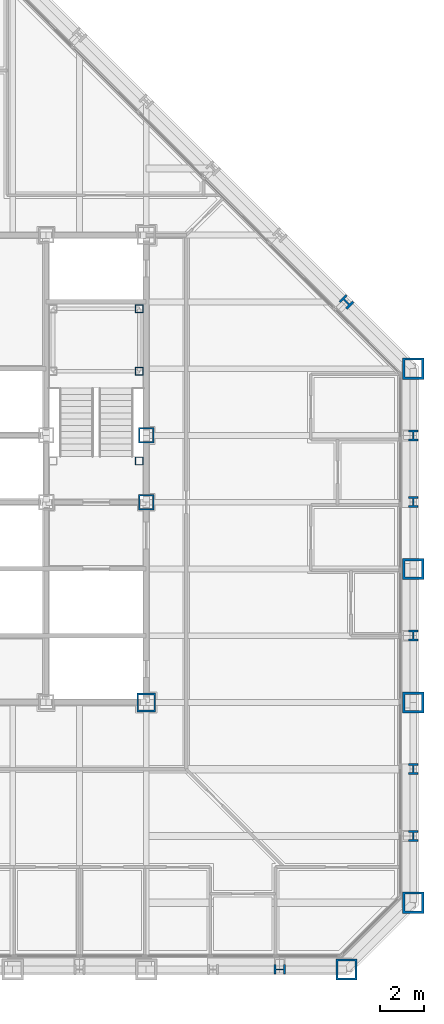
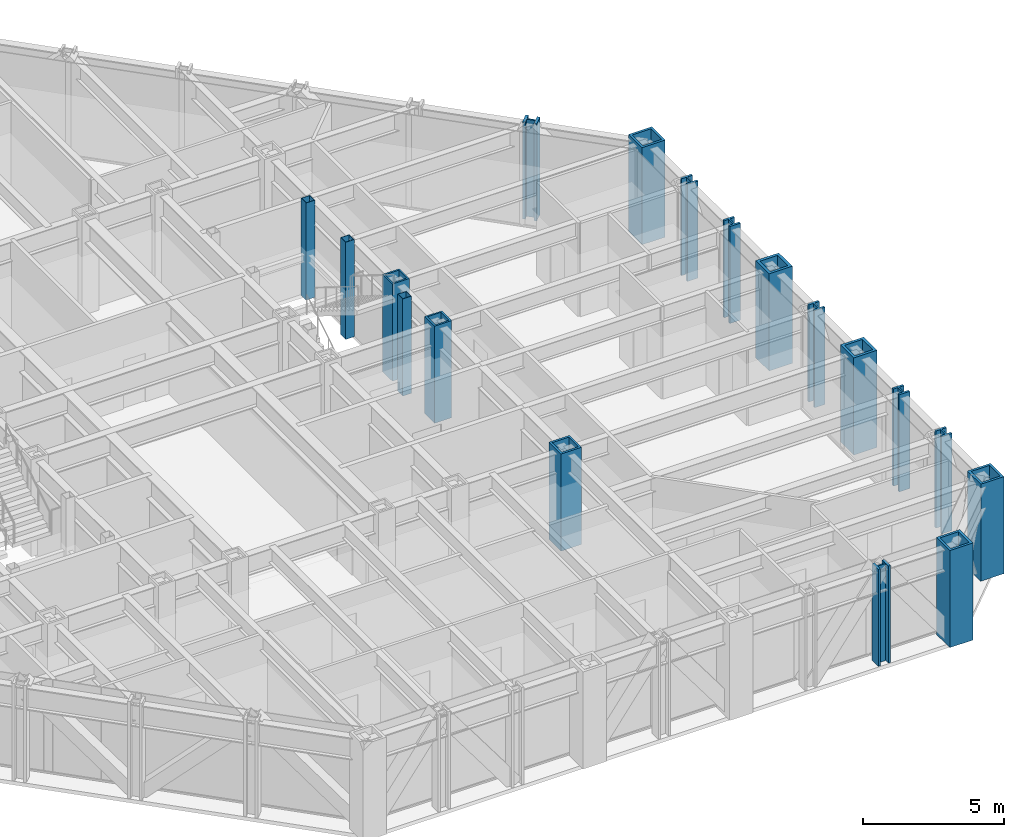
# One storey, part 2 of 17: 18 columns.
"""IFC4 building model written with IfcOpenShell, lengths in metres."""

from ifc_helpers import new_model, si_unit, direction, frame, origin, origin_2d, place, context, subcontext, project, spatial, hollow_rectangle, i_section, extrude, material, material_profile, profile_set, type_object, element, save


model = new_model("IFC4")

# Units and contexts
model_context = context("Model", 3, precision=1e-05, world=origin(), true_north=direction((0.0, 1.0)))
body_context = subcontext(model_context, "Body", "Model", "MODEL_VIEW")
ifc_project = project(units=[si_unit("LENGTHUNIT", "METRE"), si_unit("AREAUNIT", "SQUARE_METRE"), si_unit("VOLUMEUNIT", "CUBIC_METRE"), si_unit("PLANEANGLEUNIT", "RADIAN"), si_unit("MASSUNIT", "GRAM", prefix="KILO")], contexts=[model_context])

# Site, building, storey
site_placement = place(None, origin())
site = spatial("IfcSite", under=ifc_project, at=site_placement, CompositionType="ELEMENT")
building_placement = place(site_placement, origin())
building = spatial("IfcBuilding", under=site, at=building_placement, Name="Chuquiago Exchange Tower", CompositionType="ELEMENT")
storey_placement = place(building_placement, frame((0.0, 0.0, 132.0)))
storey = spatial("IfcBuildingStorey", under=building, at=storey_placement, Name="L28", CompositionType="ELEMENT", Elevation=132.0)

# Columns
ifc_material_1 = material(Name="Steel ASTM A992", Category="steel")
ifc_material_profile_1 = material_profile(ifc_material_1, i_section(OverallWidth=0.431884765625, OverallDepth=0.497802734375, WebThickness=0.0556640625, FlangeThickness=0.0888671875, at=origin_2d()), Name="W14X500")
ifc_profile_set_1 = profile_set([ifc_material_profile_1], Name="Steel ASTM A992")
column_type_1 = type_object("IfcColumnType", Name="C3 W14X500", PredefinedType="COLUMN", material=ifc_profile_set_1)
for number, where, z_axis, x_axis, name in (
    (1, (39.0, 0.0, 0.0), (0.0, 0.0, 1.0), (0.0, -1.0, 0.0), "COL-L28-39_0"),
    (2, (45.0, 6.0, 0.0), (0.0, 0.0, 1.0), (1.0, 0.0, 0.0), "COL-L28-45_6"),
    (3, (45.0, 9.0, 0.0), (0.0, 0.0, 1.0), (1.0, 0.0, 0.0), "COL-L28-45_9"),
    (4, (45.0, 15.0, 0.0), (0.0, 0.0, 1.0), (1.0, 0.0, 0.0), "COL-L28-45_15"),
    (5, (45.0, 21.0, 0.0), (0.0, 0.0, 1.0), (1.0, 0.0, 0.0), "COL-L28-45_21"),
    (6, (45.0, 24.0, 0.0), (0.0, 0.0, 1.0), (1.0, 0.0, 0.0), "COL-L28-45_24"),
):
    element("IfcColumn", number, at=place(storey_placement, frame(where, z_axis=z_axis, x_axis=x_axis)), inside=storey, type_object=column_type_1, Name=name, PredefinedType="COLUMN", context=body_context, shape_type="SweptSolid", body=[
        extrude(i_section(OverallWidth=0.431884765625, OverallDepth=0.497802734375, WebThickness=0.0556640625, FlangeThickness=0.0888671875, at=origin_2d()), origin(), (0.0, 0.0, 1.0), 4.199951171875),
    ])
ifc_material_2 = material(Name="Steel ASTM A572 Grade 50", Category="steel")
ifc_material_profile_2 = material_profile(ifc_material_2, hollow_rectangle(XDim=0.699951171875, YDim=0.699951171875, WallThickness=0.070068359375, at=origin_2d()), Name="BOX700X700X70")
ifc_profile_set_2 = profile_set([ifc_material_profile_2], Name="Steel ASTM A572 Grade 50")
column_type_2 = type_object("IfcColumnType", Name="CC3 BOX700X700X70", PredefinedType="COLUMN", material=ifc_profile_set_2)
for number, where, z_axis, x_axis, name in (
    (7, (33.0, 21.0, 0.0), (0.0, 0.0, 1.0), (1.0, 0.0, 0.0), "CCOL-L28-33_21"),
    (8, (33.0, 24.0, 0.0), (0.0, 0.0, 1.0), (1.0, 0.0, 0.0), "CCOL-L28-33_24"),
):
    element("IfcColumn", number, at=place(storey_placement, frame(where, z_axis=z_axis, x_axis=x_axis)), inside=storey, type_object=column_type_2, Name=name, PredefinedType="COLUMN", context=body_context, shape_type="SweptSolid", body=[
        extrude(hollow_rectangle(XDim=0.699951171875, YDim=0.699951171875, WallThickness=0.070068359375, at=origin_2d()), origin(), (0.0, 0.0, 1.0), 4.199951171875),
    ])
ifc_material_3 = material(Name="Steel ASTM A572 Grade 50", Category="steel")
ifc_material_profile_3 = material_profile(ifc_material_3, hollow_rectangle(XDim=0.85009765625, YDim=0.85009765625, WallThickness=0.0849609375, at=origin_2d()), Name="BOX850X850X85")
ifc_profile_set_3 = profile_set([ifc_material_profile_3], Name="Steel ASTM A572 Grade 50")
column_type_3 = type_object("IfcColumnType", Name="CC6 BOX850X850X85", PredefinedType="COLUMN", material=ifc_profile_set_3)
column_1_placement = place(storey_placement, frame((33.0, 12.0, 0.0), z_axis=(0.0, 0.0, 1.0), x_axis=(1.0, 0.0, 0.0)))
element("IfcColumn", 9, at=column_1_placement, inside=storey, type_object=column_type_3, Name="CCOL-L28-33_12", PredefinedType="COLUMN", context=body_context, shape_type="SweptSolid", body=[
    extrude(hollow_rectangle(XDim=0.85009765625, YDim=0.85009765625, WallThickness=0.0849609375, at=origin_2d()), origin(), (0.0, 0.0, 1.0), 4.199951171875),
])
ifc_material_4 = material(Name="Steel ASTM A992", Category="steel")
ifc_material_profile_4 = material_profile(ifc_material_4, i_section(OverallWidth=0.44189453125, OverallDepth=0.53076171875, WebThickness=0.06591796875, FlangeThickness=0.105712890625, at=origin_2d()), Name="W14X605")
ifc_profile_set_4 = profile_set([ifc_material_profile_4], Name="Steel ASTM A992")
column_type_4 = type_object("IfcColumnType", Name="CK3 W14X605", PredefinedType="COLUMN", material=ifc_profile_set_4)
column_2_placement = place(storey_placement, frame((42.0, 30.0, 0.0), z_axis=(0.0, 0.0, 1.0), x_axis=(0.707106781187, 0.707106781187, 0.0)))
element("IfcColumn", 10, at=column_2_placement, inside=storey, type_object=column_type_4, Name="COL-L28-42_30", PredefinedType="COLUMN", context=body_context, shape_type="SweptSolid", body=[
    extrude(i_section(OverallWidth=0.44189453125, OverallDepth=0.53076171875, WebThickness=0.06591796875, FlangeThickness=0.105712890625, at=origin_2d()), origin(), (0.0, 0.0, 1.0), 4.199951171875),
])
ifc_material_5 = material(Name="Steel ASTM A572 Grade 50", Category="steel")
ifc_material_profile_5 = material_profile(ifc_material_5, hollow_rectangle(XDim=0.949951171875, YDim=0.949951171875, WallThickness=0.094970703125, at=origin_2d()), Name="BOX950X950X95")
ifc_profile_set_5 = profile_set([ifc_material_profile_5], Name="Steel ASTM A572 Grade 50")
column_type_5 = type_object("IfcColumnType", Name="CN1 BOX950X950X95", PredefinedType="COLUMN", material=ifc_profile_set_5)
for number, where, z_axis, x_axis, name in (
    (11, (42.0, 0.0, 0.0), (0.0, 0.0, 1.0), (0.0, -1.0, 0.0), "COL-L28-42_0"),
    (12, (45.0, 3.0, 0.0), (0.0, 0.0, 1.0), (1.0, 0.0, 0.0), "COL-L28-45_3"),
    (13, (45.0, 27.0, 0.0), (0.0, 0.0, 1.0), (1.0, 0.0, 0.0), "COL-L28-45_27"),
):
    element("IfcColumn", number, at=place(storey_placement, frame(where, z_axis=z_axis, x_axis=x_axis)), inside=storey, type_object=column_type_5, Name=name, PredefinedType="COLUMN", context=body_context, shape_type="SweptSolid", body=[
        extrude(hollow_rectangle(XDim=0.949951171875, YDim=0.949951171875, WallThickness=0.094970703125, at=origin_2d()), origin(), (0.0, 0.0, 1.0), 4.199951171875),
    ])
ifc_material_6 = material(Name="Steel ASTM A572 Grade 42", Category="steel")
ifc_material_profile_6 = material_profile(ifc_material_6, hollow_rectangle(XDim=0.949951171875, YDim=0.949951171875, WallThickness=0.110107421875, at=origin_2d()), Name="BOX950X950X110")
ifc_profile_set_6 = profile_set([ifc_material_profile_6], Name="Steel ASTM A572 Grade 42")
column_type_6 = type_object("IfcColumnType", Name="CT1 BOX950X950X110", PredefinedType="COLUMN", material=ifc_profile_set_6)
for number, where, z_axis, x_axis, name in (
    (14, (45.0, 12.0, 0.0), (0.0, 0.0, 1.0), (1.0, 0.0, 0.0), "COL-L28-45_12"),
    (15, (45.0, 18.0, 0.0), (0.0, 0.0, 1.0), (1.0, 0.0, 0.0), "COL-L28-45_18"),
):
    element("IfcColumn", number, at=place(storey_placement, frame(where, z_axis=z_axis, x_axis=x_axis)), inside=storey, type_object=column_type_6, Name=name, PredefinedType="COLUMN", context=body_context, shape_type="SweptSolid", body=[
        extrude(hollow_rectangle(XDim=0.949951171875, YDim=0.949951171875, WallThickness=0.110107421875, at=origin_2d()), origin(), (0.0, 0.0, 1.0), 4.199951171875),
    ])
ifc_material_7 = material(Name="Steel ASTM A500 Grade C", Category="steel")
ifc_material_profile_7 = material_profile(ifc_material_7, hollow_rectangle(XDim=0.355712890625, YDim=0.355712890625, WallThickness=0.0146484375, at=origin_2d()), Name="HSS14X14X5/8")
ifc_profile_set_7 = profile_set([ifc_material_profile_7], Name="Steel ASTM A500 Grade C")
column_type_7 = type_object("IfcColumnType", Name="PT2 HSS14X14X5/8", PredefinedType="COLUMN", material=ifc_profile_set_7)
for number, where, z_axis, x_axis, name in (
    (16, (32.68994140625, 29.68994140625, 0.0), (0.0, 0.0, 1.0), (1.0, 0.0, 0.0), "Stair ST2 L28 landing post"),
    (17, (32.68994140625, 26.889892578125, 0.0), (0.0, 0.0, 1.0), (1.0, 0.0, 0.0), "Stair ST2 L28 landing post"),
    (18, (32.68994140625, 22.85009765625, 0.0), (0.0, 0.0, 1.0), (1.0, 0.0, 0.0), "Stair ST2 L28 landing post"),
):
    element("IfcColumn", number, at=place(storey_placement, frame(where, z_axis=z_axis, x_axis=x_axis)), inside=storey, type_object=column_type_7, Name=name, PredefinedType="COLUMN", context=body_context, shape_type="SweptSolid", body=[
        extrude(hollow_rectangle(XDim=0.355712890625, YDim=0.355712890625, WallThickness=0.0146484375, at=origin_2d()), origin(), (0.0, 0.0, 1.0), 4.199951171875),
    ])

save(model, "model.ifc")
